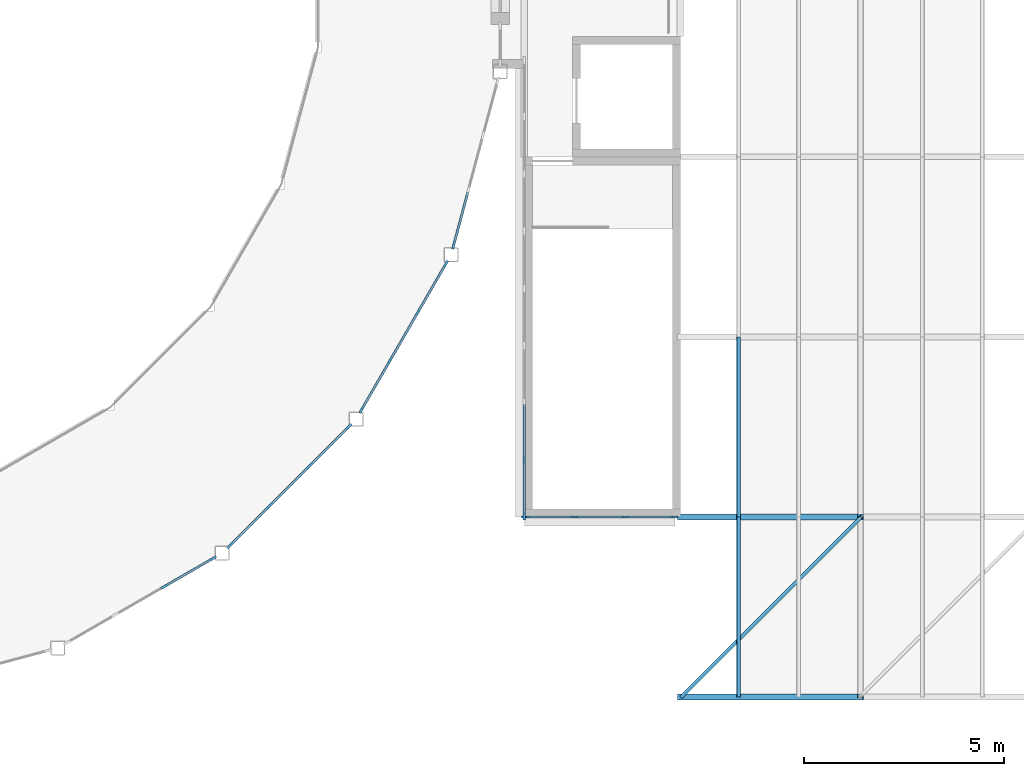
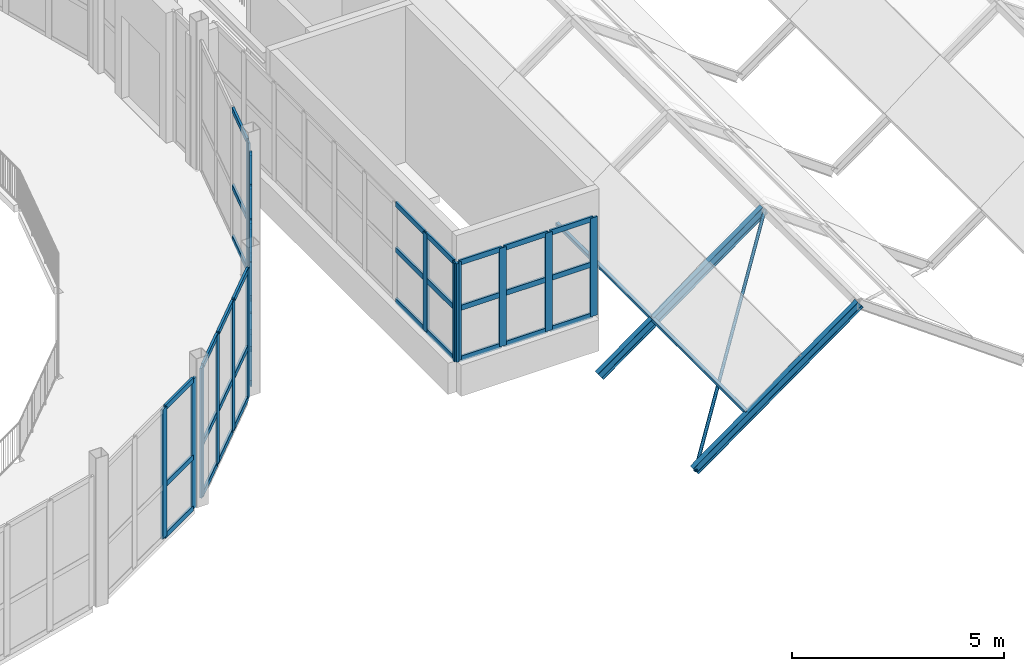
# One storey, part 20 of 74: 59 members, 2 beams, 6 elements without a shape of their own.
"""IFC4 building model written with IfcOpenShell, lengths in metres."""

from ifc_helpers import new_model, si_unit, direction, frame, origin, origin_2d, place, context, subcontext, project, spatial, rectangle, hollow_rectangle, hollow_circle, i_section, extrude, material, layer, layer_set, material_profile, profile_set, type_object, element, aggregate, save


model = new_model("IFC4")

# Units and contexts
model_context = context("Model", 3, precision=1e-05, world=origin(), true_north=direction((0.0, 1.0)))
body_context = subcontext(model_context, "Body", "Model", "MODEL_VIEW")
ifc_project = project(units=[si_unit("LENGTHUNIT", "METRE"), si_unit("AREAUNIT", "SQUARE_METRE"), si_unit("VOLUMEUNIT", "CUBIC_METRE"), si_unit("PLANEANGLEUNIT", "RADIAN"), si_unit("MASSUNIT", "GRAM", prefix="KILO")], contexts=[model_context])

# Site, building, storey
site_placement = place(None, origin())
site = spatial("IfcSite", under=ifc_project, at=site_placement, CompositionType="ELEMENT")
building_placement = place(site_placement, origin())
building = spatial("IfcBuilding", under=site, at=building_placement, Name="Hortulan Conservatory and Botanical Research Centre", CompositionType="ELEMENT")
storey_placement = place(building_placement, frame((0.0, 0.0, 6.0)))
storey = spatial("IfcBuildingStorey", under=building, at=storey_placement, Name="L01", CompositionType="ELEMENT", Elevation=6.0)

# Curtain wall, members
ifc_material_1 = material(Name="Bronze-finished aluminium", Category="aluminium")
ifc_layer = layer(ifc_material_1, 0.10009765625)
ifc_layer_set = layer_set([ifc_layer], Name="Bronze-framed Curtain Wall 1500 module")
curtain_wall_type = type_object("IfcCurtainWallType", Name="Bronze-framed Curtain Wall 1500 module", PredefinedType="NOTDEFINED", material=ifc_layer_set)
curtain_wall_1_placement = place(storey_placement, origin())
curtain_wall_1 = element("IfcCurtainWall", 1, at=curtain_wall_1_placement, inside=storey, type_object=curtain_wall_type, Name="Curtain wall", PredefinedType="NOTDEFINED")
ifc_material_profile_1 = material_profile(ifc_material_1, rectangle(XDim=0.06005859375, YDim=0.199951171875, at=origin_2d()), Name="Bronze Mullion 60x200")
ifc_profile_set_1 = profile_set([ifc_material_profile_1], Name="Bronze-finished aluminium")
member_type_1 = type_object("IfcMemberType", Name="Bronze Mullion 60x200", PredefinedType="MULLION", material=ifc_profile_set_1)
member_1_placement = place(storey_placement, frame((64.81884765625, 3.461669921875, 0.0), z_axis=(0.0, 0.0, 1.0), x_axis=(0.499981160235, -0.866036280655, 0.0)))
member_1 = element("IfcMember", 2, at=member_1_placement, type_object=member_type_1, Name="CW1 mullion 1", PredefinedType="MULLION", context=body_context, shape_type="SweptSolid", body=[
    extrude(rectangle(XDim=0.06005859375, YDim=0.199951171875, at=origin_2d()), origin(), (0.0, 0.0, 1.0), 3.75),
])
member_2_placement = place(storey_placement, frame((63.614990234375, 2.7666015625, 0.0), z_axis=(0.0, 0.0, 1.0), x_axis=(0.499981160235, -0.866036280655, 0.0)))
member_2 = element("IfcMember", 3, at=member_2_placement, type_object=member_type_1, Name="CW1 mullion 2", PredefinedType="MULLION", context=body_context, shape_type="SweptSolid", body=[
    extrude(rectangle(XDim=0.06005859375, YDim=0.199951171875, at=origin_2d()), origin(), (0.0, 0.0, 1.0), 3.75),
])

curtain_wall_2_placement = place(storey_placement, origin())
curtain_wall_2 = element("IfcCurtainWall", 4, at=curtain_wall_2_placement, inside=storey, type_object=curtain_wall_type, Name="Curtain wall", PredefinedType="NOTDEFINED")
member_3_placement = place(storey_placement, frame((68.207763671875, 6.751708984375, 0.0), z_axis=(0.0, 0.0, 1.0), x_axis=(0.707106781187, -0.707106781187, 0.0)))
member_3 = element("IfcMember", 5, at=member_3_placement, type_object=member_type_1, Name="CW1 mullion 1", PredefinedType="MULLION", context=body_context, shape_type="SweptSolid", body=[
    extrude(rectangle(XDim=0.06005859375, YDim=0.199951171875, at=origin_2d()), origin(), (0.0, 0.0, 1.0), 3.75),
])
member_4_placement = place(storey_placement, frame((67.228271484375, 5.7724609375, 0.0), z_axis=(0.0, 0.0, 1.0), x_axis=(0.707106781187, -0.707106781187, 0.0)))
member_4 = element("IfcMember", 6, at=member_4_placement, type_object=member_type_1, Name="CW1 mullion 2", PredefinedType="MULLION", context=body_context, shape_type="SweptSolid", body=[
    extrude(rectangle(XDim=0.06005859375, YDim=0.199951171875, at=origin_2d()), origin(), (0.0, 0.0, 1.0), 3.75),
])
member_5_placement = place(storey_placement, frame((66.2275390625, 4.771728515625, 0.0), z_axis=(0.0, 0.0, 1.0), x_axis=(0.707106781187, -0.707106781187, 0.0)))
member_5 = element("IfcMember", 7, at=member_5_placement, type_object=member_type_1, Name="CW1 mullion 3", PredefinedType="MULLION", context=body_context, shape_type="SweptSolid", body=[
    extrude(rectangle(XDim=0.06005859375, YDim=0.199951171875, at=origin_2d()), origin(), (0.0, 0.0, 1.0), 3.75),
])
member_6_placement = place(storey_placement, frame((65.248291015625, 3.792236328125, 0.0), z_axis=(0.0, 0.0, 1.0), x_axis=(0.707106781187, -0.707106781187, 0.0)))
member_6 = element("IfcMember", 8, at=member_6_placement, type_object=member_type_1, Name="CW1 mullion 4", PredefinedType="MULLION", context=body_context, shape_type="SweptSolid", body=[
    extrude(rectangle(XDim=0.06005859375, YDim=0.199951171875, at=origin_2d()), origin(), (0.0, 0.0, 1.0), 3.75),
])

curtain_wall_3_placement = place(storey_placement, origin())
curtain_wall_3 = element("IfcCurtainWall", 9, at=curtain_wall_3_placement, inside=storey, type_object=curtain_wall_type, Name="Curtain wall", PredefinedType="NOTDEFINED")
member_7_placement = place(storey_placement, frame((70.638671875, 10.81884765625, 0.0), z_axis=(0.0, 0.0, 1.0), x_axis=(0.866036280655, -0.499981160235, 0.0)))
member_7 = element("IfcMember", 10, at=member_7_placement, type_object=member_type_1, Name="CW1 mullion 1", PredefinedType="MULLION", context=body_context, shape_type="SweptSolid", body=[
    extrude(rectangle(XDim=0.06005859375, YDim=0.199951171875, at=origin_2d()), origin(), (0.0, 0.0, 1.0), 3.75),
])
member_8_placement = place(storey_placement, frame((69.943603515625, 9.614990234375, 0.0), z_axis=(0.0, 0.0, 1.0), x_axis=(0.866036280655, -0.499981160235, 0.0)))
member_8 = element("IfcMember", 11, at=member_8_placement, type_object=member_type_1, Name="CW1 mullion 2", PredefinedType="MULLION", context=body_context, shape_type="SweptSolid", body=[
    extrude(rectangle(XDim=0.06005859375, YDim=0.199951171875, at=origin_2d()), origin(), (0.0, 0.0, 1.0), 3.75),
])
member_9_placement = place(storey_placement, frame((69.2333984375, 8.385009765625, 0.0), z_axis=(0.0, 0.0, 1.0), x_axis=(0.866036280655, -0.499981160235, 0.0)))
member_9 = element("IfcMember", 12, at=member_9_placement, type_object=member_type_1, Name="CW1 mullion 3", PredefinedType="MULLION", context=body_context, shape_type="SweptSolid", body=[
    extrude(rectangle(XDim=0.06005859375, YDim=0.199951171875, at=origin_2d()), origin(), (0.0, 0.0, 1.0), 3.75),
])
member_10_placement = place(storey_placement, frame((68.538330078125, 7.18115234375, 0.0), z_axis=(0.0, 0.0, 1.0), x_axis=(0.866036280655, -0.499981160235, 0.0)))
member_10 = element("IfcMember", 13, at=member_10_placement, type_object=member_type_1, Name="CW1 mullion 4", PredefinedType="MULLION", context=body_context, shape_type="SweptSolid", body=[
    extrude(rectangle(XDim=0.06005859375, YDim=0.199951171875, at=origin_2d()), origin(), (0.0, 0.0, 1.0), 3.75),
])

# Curtain wall, member
curtain_wall_4_placement = place(storey_placement, origin())
curtain_wall_4 = element("IfcCurtainWall", 14, at=curtain_wall_4_placement, inside=storey, type_object=curtain_wall_type, Name="Curtain wall", PredefinedType="NOTDEFINED")
member_11_placement = place(storey_placement, frame((70.83642578125, 11.2880859375, 0.0), z_axis=(0.0, 0.0, 1.0), x_axis=(0.965922372015, -0.258831936284, 0.0)))
member_11 = element("IfcMember", 15, at=member_11_placement, type_object=member_type_1, Name="CW1 mullion 4", PredefinedType="MULLION", context=body_context, shape_type="SweptSolid", body=[
    extrude(rectangle(XDim=0.06005859375, YDim=0.199951171875, at=origin_2d()), origin(), (0.0, 0.0, 1.0), 3.75),
])

# Curtain wall, members
curtain_wall_5_placement = place(storey_placement, origin())
curtain_wall_5 = element("IfcCurtainWall", 16, at=curtain_wall_5_placement, inside=storey, type_object=curtain_wall_type, Name="Curtain wall", PredefinedType="NOTDEFINED")
member_12_placement = place(storey_placement, frame((76.343017578125, 4.5, 0.89990234375), z_axis=(0.0, 0.0, 1.0), x_axis=(0.0, -1.0, 0.0)))
member_12 = element("IfcMember", 17, at=member_12_placement, type_object=member_type_1, Name="CW1 mullion 1", PredefinedType="MULLION", context=body_context, shape_type="SweptSolid", body=[
    extrude(rectangle(XDim=0.06005859375, YDim=0.199951171875, at=origin_2d()), origin(), (0.0, 0.0, 1.0), 2.840087890625),
])
member_13_placement = place(storey_placement, frame((75.115234375, 4.5, 0.89990234375), z_axis=(0.0, 0.0, 1.0), x_axis=(0.0, -1.0, 0.0)))
member_13 = element("IfcMember", 18, at=member_13_placement, type_object=member_type_1, Name="CW1 mullion 2", PredefinedType="MULLION", context=body_context, shape_type="SweptSolid", body=[
    extrude(rectangle(XDim=0.06005859375, YDim=0.199951171875, at=origin_2d()), origin(), (0.0, 0.0, 1.0), 2.840087890625),
])
member_14_placement = place(storey_placement, frame((73.857666015625, 4.5, 0.89990234375), z_axis=(0.0, 0.0, 1.0), x_axis=(0.0, -1.0, 0.0)))
member_14 = element("IfcMember", 19, at=member_14_placement, type_object=member_type_1, Name="CW1 mullion 3", PredefinedType="MULLION", context=body_context, shape_type="SweptSolid", body=[
    extrude(rectangle(XDim=0.06005859375, YDim=0.199951171875, at=origin_2d()), origin(), (0.0, 0.0, 1.0), 2.840087890625),
])
member_15_placement = place(storey_placement, frame((72.6298828125, 4.5, 0.89990234375), z_axis=(0.0, 0.0, 1.0), x_axis=(0.0, -1.0, 0.0)))
member_15 = element("IfcMember", 20, at=member_15_placement, type_object=member_type_1, Name="CW1 mullion 4", PredefinedType="MULLION", context=body_context, shape_type="SweptSolid", body=[
    extrude(rectangle(XDim=0.06005859375, YDim=0.199951171875, at=origin_2d()), origin(), (0.0, 0.0, 1.0), 2.840087890625),
])

curtain_wall_6_placement = place(storey_placement, origin())
curtain_wall_6 = element("IfcCurtainWall", 21, at=curtain_wall_6_placement, inside=storey, type_object=curtain_wall_type, Name="Curtain wall", PredefinedType="NOTDEFINED")
member_16_placement = place(storey_placement, frame((72.60009765625, 4.530029296875, 0.89990234375), z_axis=(0.0, 0.0, 1.0), x_axis=(-1.0, 0.0, 0.0)))
member_16 = element("IfcMember", 22, at=member_16_placement, type_object=member_type_1, Name="CW1 mullion 1", PredefinedType="MULLION", context=body_context, shape_type="SweptSolid", body=[
    extrude(rectangle(XDim=0.06005859375, YDim=0.199951171875, at=origin_2d()), origin(), (0.0, 0.0, 1.0), 2.840087890625),
])
member_17_placement = place(storey_placement, frame((72.60009765625, 5.9287109375, 0.89990234375), z_axis=(0.0, 0.0, 1.0), x_axis=(-1.0, 0.0, 0.0)))
member_17 = element("IfcMember", 23, at=member_17_placement, type_object=member_type_1, Name="CW1 mullion 2", PredefinedType="MULLION", context=body_context, shape_type="SweptSolid", body=[
    extrude(rectangle(XDim=0.06005859375, YDim=0.199951171875, at=origin_2d()), origin(), (0.0, 0.0, 1.0), 2.840087890625),
])

# Member
ifc_material_profile_2 = material_profile(ifc_material_1, rectangle(XDim=0.06005859375, YDim=0.14990234375, at=origin_2d()), Name="Bronze Transom 60x150")
ifc_profile_set_2 = profile_set([ifc_material_profile_2], Name="Bronze-finished aluminium")
member_type_2 = type_object("IfcMemberType", Name="Bronze Transom 60x150", PredefinedType="USERDEFINED", material=ifc_profile_set_2)
member_18_placement = place(storey_placement, frame((64.79296875, 3.446533203125, 0.030029296875), z_axis=(-0.866066400931, -0.499928984136, 0.0), x_axis=(0.499928984136, -0.866066400931, 0.0)))
member_18 = element("IfcMember", 24, at=member_18_placement, type_object=member_type_2, Name="CW1 transom 1.1", ObjectType="TRANSOM", PredefinedType="USERDEFINED", context=body_context, shape_type="SweptSolid", body=[
    extrude(rectangle(XDim=0.06005859375, YDim=0.14990234375, at=origin_2d()), origin(), (0.0, 0.0, 1.0), 1.330322265625),
])

member_19_placement = place(storey_placement, frame((64.79296875, 3.446533203125, 1.5), z_axis=(-0.866066400931, -0.499928984136, 0.0), x_axis=(0.499928984136, -0.866066400931, 0.0)))
member_19 = element("IfcMember", 25, at=member_19_placement, type_object=member_type_2, Name="CW1 transom 1.2", ObjectType="TRANSOM", PredefinedType="USERDEFINED", context=body_context, shape_type="SweptSolid", body=[
    extrude(rectangle(XDim=0.06005859375, YDim=0.14990234375, at=origin_2d()), origin(), (0.0, 0.0, 1.0), 1.330322265625),
])

member_20_placement = place(storey_placement, frame((64.79296875, 3.446533203125, 3.719970703125), z_axis=(-0.866066400931, -0.499928984136, 0.0), x_axis=(0.499928984136, -0.866066400931, 0.0)))
member_20 = element("IfcMember", 26, at=member_20_placement, type_object=member_type_2, Name="CW1 transom 1.3", ObjectType="TRANSOM", PredefinedType="USERDEFINED", context=body_context, shape_type="SweptSolid", body=[
    extrude(rectangle(XDim=0.06005859375, YDim=0.14990234375, at=origin_2d()), origin(), (0.0, 0.0, 1.0), 1.330322265625),
])

aggregate(curtain_wall_1, [member_1, member_2, member_18, member_19, member_20])

member_21_placement = place(storey_placement, frame((68.1865234375, 6.73046875, 0.030029296875), z_axis=(-0.70719890636, -0.707014644009, 0.0), x_axis=(0.707014644009, -0.70719890636, 0.0)))
member_21 = element("IfcMember", 27, at=member_21_placement, type_object=member_type_2, Name="CW1 transom 1.1", ObjectType="TRANSOM", PredefinedType="USERDEFINED", context=body_context, shape_type="SweptSolid", body=[
    extrude(rectangle(XDim=0.06005859375, YDim=0.14990234375, at=origin_2d()), origin(), (0.0, 0.0, 1.0), 1.324951171875),
])

member_22_placement = place(storey_placement, frame((68.1865234375, 6.73046875, 1.5), z_axis=(-0.70719890636, -0.707014644009, 0.0), x_axis=(0.707014644009, -0.70719890636, 0.0)))
member_22 = element("IfcMember", 28, at=member_22_placement, type_object=member_type_2, Name="CW1 transom 1.2", ObjectType="TRANSOM", PredefinedType="USERDEFINED", context=body_context, shape_type="SweptSolid", body=[
    extrude(rectangle(XDim=0.06005859375, YDim=0.14990234375, at=origin_2d()), origin(), (0.0, 0.0, 1.0), 1.324951171875),
])

member_23_placement = place(storey_placement, frame((68.1865234375, 6.73046875, 3.719970703125), z_axis=(-0.70719890636, -0.707014644009, 0.0), x_axis=(0.707014644009, -0.70719890636, 0.0)))
member_23 = element("IfcMember", 29, at=member_23_placement, type_object=member_type_2, Name="CW1 transom 1.3", ObjectType="TRANSOM", PredefinedType="USERDEFINED", context=body_context, shape_type="SweptSolid", body=[
    extrude(rectangle(XDim=0.06005859375, YDim=0.14990234375, at=origin_2d()), origin(), (0.0, 0.0, 1.0), 1.324951171875),
])

member_24_placement = place(storey_placement, frame((67.20703125, 5.751220703125, 0.030029296875), z_axis=(-0.707106781187, -0.707106781187, 0.0), x_axis=(0.707106781187, -0.707106781187, 0.0)))
member_24 = element("IfcMember", 30, at=member_24_placement, type_object=member_type_2, Name="CW1 transom 2.1", ObjectType="TRANSOM", PredefinedType="USERDEFINED", context=body_context, shape_type="SweptSolid", body=[
    extrude(rectangle(XDim=0.06005859375, YDim=0.14990234375, at=origin_2d()), origin(), (0.0, 0.0, 1.0), 1.355224609375),
])

member_25_placement = place(storey_placement, frame((67.20703125, 5.751220703125, 1.5), z_axis=(-0.707106781187, -0.707106781187, 0.0), x_axis=(0.707106781187, -0.707106781187, 0.0)))
member_25 = element("IfcMember", 31, at=member_25_placement, type_object=member_type_2, Name="CW1 transom 2.2", ObjectType="TRANSOM", PredefinedType="USERDEFINED", context=body_context, shape_type="SweptSolid", body=[
    extrude(rectangle(XDim=0.06005859375, YDim=0.14990234375, at=origin_2d()), origin(), (0.0, 0.0, 1.0), 1.355224609375),
])

member_26_placement = place(storey_placement, frame((67.20703125, 5.751220703125, 3.719970703125), z_axis=(-0.707106781187, -0.707106781187, 0.0), x_axis=(0.707106781187, -0.707106781187, 0.0)))
member_26 = element("IfcMember", 32, at=member_26_placement, type_object=member_type_2, Name="CW1 transom 2.3", ObjectType="TRANSOM", PredefinedType="USERDEFINED", context=body_context, shape_type="SweptSolid", body=[
    extrude(rectangle(XDim=0.06005859375, YDim=0.14990234375, at=origin_2d()), origin(), (0.0, 0.0, 1.0), 1.355224609375),
])

member_27_placement = place(storey_placement, frame((66.206298828125, 4.75048828125, 0.030029296875), z_axis=(-0.707014644009, -0.70719890636, 0.0), x_axis=(0.70719890636, -0.707014644009, 0.0)))
member_27 = element("IfcMember", 33, at=member_27_placement, type_object=member_type_2, Name="CW1 transom 3.1", ObjectType="TRANSOM", PredefinedType="USERDEFINED", context=body_context, shape_type="SweptSolid", body=[
    extrude(rectangle(XDim=0.06005859375, YDim=0.14990234375, at=origin_2d()), origin(), (0.0, 0.0, 1.0), 1.324951171875),
])

member_28_placement = place(storey_placement, frame((66.206298828125, 4.75048828125, 1.5), z_axis=(-0.707014644009, -0.70719890636, 0.0), x_axis=(0.70719890636, -0.707014644009, 0.0)))
member_28 = element("IfcMember", 34, at=member_28_placement, type_object=member_type_2, Name="CW1 transom 3.2", ObjectType="TRANSOM", PredefinedType="USERDEFINED", context=body_context, shape_type="SweptSolid", body=[
    extrude(rectangle(XDim=0.06005859375, YDim=0.14990234375, at=origin_2d()), origin(), (0.0, 0.0, 1.0), 1.324951171875),
])

member_29_placement = place(storey_placement, frame((66.206298828125, 4.75048828125, 3.719970703125), z_axis=(-0.707014644009, -0.70719890636, 0.0), x_axis=(0.70719890636, -0.707014644009, 0.0)))
member_29 = element("IfcMember", 35, at=member_29_placement, type_object=member_type_2, Name="CW1 transom 3.3", ObjectType="TRANSOM", PredefinedType="USERDEFINED", context=body_context, shape_type="SweptSolid", body=[
    extrude(rectangle(XDim=0.06005859375, YDim=0.14990234375, at=origin_2d()), origin(), (0.0, 0.0, 1.0), 1.324951171875),
])

aggregate(curtain_wall_2, [member_3, member_4, member_5, member_6, member_21, member_22, member_23, member_24, member_25, member_26, member_27, member_28, member_29])

member_30_placement = place(storey_placement, frame((70.62353515625, 10.79296875, 0.030029296875), z_axis=(-0.499928984136, -0.866066400931, 0.0), x_axis=(0.866066400931, -0.499928984136, 0.0)))
member_30 = element("IfcMember", 36, at=member_30_placement, type_object=member_type_2, Name="CW1 transom 1.1", ObjectType="TRANSOM", PredefinedType="USERDEFINED", context=body_context, shape_type="SweptSolid", body=[
    extrude(rectangle(XDim=0.06005859375, YDim=0.14990234375, at=origin_2d()), origin(), (0.0, 0.0, 1.0), 1.330322265625),
])

member_31_placement = place(storey_placement, frame((70.62353515625, 10.79296875, 1.5), z_axis=(-0.499928984136, -0.866066400931, 0.0), x_axis=(0.866066400931, -0.499928984136, 0.0)))
member_31 = element("IfcMember", 37, at=member_31_placement, type_object=member_type_2, Name="CW1 transom 1.2", ObjectType="TRANSOM", PredefinedType="USERDEFINED", context=body_context, shape_type="SweptSolid", body=[
    extrude(rectangle(XDim=0.06005859375, YDim=0.14990234375, at=origin_2d()), origin(), (0.0, 0.0, 1.0), 1.330322265625),
])

member_32_placement = place(storey_placement, frame((70.62353515625, 10.79296875, 3.719970703125), z_axis=(-0.499928984136, -0.866066400931, 0.0), x_axis=(0.866066400931, -0.499928984136, 0.0)))
member_32 = element("IfcMember", 38, at=member_32_placement, type_object=member_type_2, Name="CW1 transom 1.3", ObjectType="TRANSOM", PredefinedType="USERDEFINED", context=body_context, shape_type="SweptSolid", body=[
    extrude(rectangle(XDim=0.06005859375, YDim=0.14990234375, at=origin_2d()), origin(), (0.0, 0.0, 1.0), 1.330322265625),
])

member_33_placement = place(storey_placement, frame((69.928466796875, 9.5888671875, 0.030029296875), z_axis=(-0.499981459473, -0.866036107898, 0.0), x_axis=(0.866036107898, -0.499981459473, 0.0)))
member_33 = element("IfcMember", 39, at=member_33_placement, type_object=member_type_2, Name="CW1 transom 2.1", ObjectType="TRANSOM", PredefinedType="USERDEFINED", context=body_context, shape_type="SweptSolid", body=[
    extrude(rectangle(XDim=0.06005859375, YDim=0.14990234375, at=origin_2d()), origin(), (0.0, 0.0, 1.0), 1.35986328125),
])

member_34_placement = place(storey_placement, frame((69.928466796875, 9.5888671875, 1.5), z_axis=(-0.499981459473, -0.866036107898, 0.0), x_axis=(0.866036107898, -0.499981459473, 0.0)))
member_34 = element("IfcMember", 40, at=member_34_placement, type_object=member_type_2, Name="CW1 transom 2.2", ObjectType="TRANSOM", PredefinedType="USERDEFINED", context=body_context, shape_type="SweptSolid", body=[
    extrude(rectangle(XDim=0.06005859375, YDim=0.14990234375, at=origin_2d()), origin(), (0.0, 0.0, 1.0), 1.35986328125),
])

member_35_placement = place(storey_placement, frame((69.928466796875, 9.5888671875, 3.719970703125), z_axis=(-0.499981459473, -0.866036107898, 0.0), x_axis=(0.866036107898, -0.499981459473, 0.0)))
member_35 = element("IfcMember", 41, at=member_35_placement, type_object=member_type_2, Name="CW1 transom 2.3", ObjectType="TRANSOM", PredefinedType="USERDEFINED", context=body_context, shape_type="SweptSolid", body=[
    extrude(rectangle(XDim=0.06005859375, YDim=0.14990234375, at=origin_2d()), origin(), (0.0, 0.0, 1.0), 1.35986328125),
])

member_36_placement = place(storey_placement, frame((69.218505859375, 8.359130859375, 0.030029296875), z_axis=(-0.499928984136, -0.866066400931, 0.0), x_axis=(0.866066400931, -0.499928984136, 0.0)))
member_36 = element("IfcMember", 42, at=member_36_placement, type_object=member_type_2, Name="CW1 transom 3.1", ObjectType="TRANSOM", PredefinedType="USERDEFINED", context=body_context, shape_type="SweptSolid", body=[
    extrude(rectangle(XDim=0.06005859375, YDim=0.14990234375, at=origin_2d()), origin(), (0.0, 0.0, 1.0), 1.330322265625),
])

member_37_placement = place(storey_placement, frame((69.218505859375, 8.359130859375, 1.5), z_axis=(-0.499928984136, -0.866066400931, 0.0), x_axis=(0.866066400931, -0.499928984136, 0.0)))
member_37 = element("IfcMember", 43, at=member_37_placement, type_object=member_type_2, Name="CW1 transom 3.2", ObjectType="TRANSOM", PredefinedType="USERDEFINED", context=body_context, shape_type="SweptSolid", body=[
    extrude(rectangle(XDim=0.06005859375, YDim=0.14990234375, at=origin_2d()), origin(), (0.0, 0.0, 1.0), 1.330322265625),
])

member_38_placement = place(storey_placement, frame((69.218505859375, 8.359130859375, 3.719970703125), z_axis=(-0.499928984136, -0.866066400931, 0.0), x_axis=(0.866066400931, -0.499928984136, 0.0)))
member_38 = element("IfcMember", 44, at=member_38_placement, type_object=member_type_2, Name="CW1 transom 3.3", ObjectType="TRANSOM", PredefinedType="USERDEFINED", context=body_context, shape_type="SweptSolid", body=[
    extrude(rectangle(XDim=0.06005859375, YDim=0.14990234375, at=origin_2d()), origin(), (0.0, 0.0, 1.0), 1.330322265625),
])

aggregate(curtain_wall_3, [member_7, member_8, member_9, member_10, member_30, member_31, member_32, member_33, member_34, member_35, member_36, member_37, member_38])

member_39_placement = place(storey_placement, frame((71.19287109375, 12.617919921875, 0.030029296875), z_axis=(-0.258835745824, -0.965921351189, 0.0), x_axis=(0.965921351189, -0.258835745824, 0.0)))
member_39 = element("IfcMember", 45, at=member_39_placement, type_object=member_type_2, Name="CW1 transom 3.1", ObjectType="TRANSOM", PredefinedType="USERDEFINED", context=body_context, shape_type="SweptSolid", body=[
    extrude(rectangle(XDim=0.06005859375, YDim=0.14990234375, at=origin_2d()), origin(), (0.0, 0.0, 1.0), 1.346923828125),
])

member_40_placement = place(storey_placement, frame((71.19287109375, 12.617919921875, 1.5), z_axis=(-0.258835745824, -0.965921351189, 0.0), x_axis=(0.965921351189, -0.258835745824, 0.0)))
member_40 = element("IfcMember", 46, at=member_40_placement, type_object=member_type_2, Name="CW1 transom 3.2", ObjectType="TRANSOM", PredefinedType="USERDEFINED", context=body_context, shape_type="SweptSolid", body=[
    extrude(rectangle(XDim=0.06005859375, YDim=0.14990234375, at=origin_2d()), origin(), (0.0, 0.0, 1.0), 1.346923828125),
])

member_41_placement = place(storey_placement, frame((71.19287109375, 12.617919921875, 3.719970703125), z_axis=(-0.258835745824, -0.965921351189, 0.0), x_axis=(0.965921351189, -0.258835745824, 0.0)))
member_41 = element("IfcMember", 47, at=member_41_placement, type_object=member_type_2, Name="CW1 transom 3.3", ObjectType="TRANSOM", PredefinedType="USERDEFINED", context=body_context, shape_type="SweptSolid", body=[
    extrude(rectangle(XDim=0.06005859375, YDim=0.14990234375, at=origin_2d()), origin(), (0.0, 0.0, 1.0), 1.346923828125),
])

aggregate(curtain_wall_4, [member_11, member_39, member_40, member_41])

member_42_placement = place(storey_placement, frame((76.31298828125, 4.5, 0.929931640625), z_axis=(-1.0, 0.0, 0.0), x_axis=(0.0, -1.0, 0.0)))
member_42 = element("IfcMember", 48, at=member_42_placement, type_object=member_type_2, Name="CW1 transom 1.1", ObjectType="TRANSOM", PredefinedType="USERDEFINED", context=body_context, shape_type="SweptSolid", body=[
    extrude(rectangle(XDim=0.06005859375, YDim=0.14990234375, at=origin_2d()), origin(), (0.0, 0.0, 1.0), 1.167724609375),
])

member_43_placement = place(storey_placement, frame((76.31298828125, 4.5, 2.39990234375), z_axis=(-1.0, 0.0, 0.0), x_axis=(0.0, -1.0, 0.0)))
member_43 = element("IfcMember", 49, at=member_43_placement, type_object=member_type_2, Name="CW1 transom 1.2", ObjectType="TRANSOM", PredefinedType="USERDEFINED", context=body_context, shape_type="SweptSolid", body=[
    extrude(rectangle(XDim=0.06005859375, YDim=0.14990234375, at=origin_2d()), origin(), (0.0, 0.0, 1.0), 1.167724609375),
])

member_44_placement = place(storey_placement, frame((76.31298828125, 4.5, 3.7099609375), z_axis=(-1.0, 0.0, 0.0), x_axis=(0.0, -1.0, 0.0)))
member_44 = element("IfcMember", 50, at=member_44_placement, type_object=member_type_2, Name="CW1 transom 1.3", ObjectType="TRANSOM", PredefinedType="USERDEFINED", context=body_context, shape_type="SweptSolid", body=[
    extrude(rectangle(XDim=0.06005859375, YDim=0.14990234375, at=origin_2d()), origin(), (0.0, 0.0, 1.0), 1.167724609375),
])

member_45_placement = place(storey_placement, frame((75.08544921875, 4.5, 0.929931640625), z_axis=(-1.0, 0.0, 0.0), x_axis=(0.0, -1.0, 0.0)))
member_45 = element("IfcMember", 51, at=member_45_placement, type_object=member_type_2, Name="CW1 transom 2.1", ObjectType="TRANSOM", PredefinedType="USERDEFINED", context=body_context, shape_type="SweptSolid", body=[
    extrude(rectangle(XDim=0.06005859375, YDim=0.14990234375, at=origin_2d()), origin(), (0.0, 0.0, 1.0), 1.19775390625),
])

member_46_placement = place(storey_placement, frame((75.08544921875, 4.5, 2.39990234375), z_axis=(-1.0, 0.0, 0.0), x_axis=(0.0, -1.0, 0.0)))
member_46 = element("IfcMember", 52, at=member_46_placement, type_object=member_type_2, Name="CW1 transom 2.2", ObjectType="TRANSOM", PredefinedType="USERDEFINED", context=body_context, shape_type="SweptSolid", body=[
    extrude(rectangle(XDim=0.06005859375, YDim=0.14990234375, at=origin_2d()), origin(), (0.0, 0.0, 1.0), 1.19775390625),
])

member_47_placement = place(storey_placement, frame((75.08544921875, 4.5, 3.7099609375), z_axis=(-1.0, 0.0, 0.0), x_axis=(0.0, -1.0, 0.0)))
member_47 = element("IfcMember", 53, at=member_47_placement, type_object=member_type_2, Name="CW1 transom 2.3", ObjectType="TRANSOM", PredefinedType="USERDEFINED", context=body_context, shape_type="SweptSolid", body=[
    extrude(rectangle(XDim=0.06005859375, YDim=0.14990234375, at=origin_2d()), origin(), (0.0, 0.0, 1.0), 1.19775390625),
])

member_48_placement = place(storey_placement, frame((73.82763671875, 4.5, 0.929931640625), z_axis=(-1.0, 0.0, 0.0), x_axis=(0.0, -1.0, 0.0)))
member_48 = element("IfcMember", 54, at=member_48_placement, type_object=member_type_2, Name="CW1 transom 3.1", ObjectType="TRANSOM", PredefinedType="USERDEFINED", context=body_context, shape_type="SweptSolid", body=[
    extrude(rectangle(XDim=0.06005859375, YDim=0.14990234375, at=origin_2d()), origin(), (0.0, 0.0, 1.0), 1.167724609375),
])

member_49_placement = place(storey_placement, frame((73.82763671875, 4.5, 2.39990234375), z_axis=(-1.0, 0.0, 0.0), x_axis=(0.0, -1.0, 0.0)))
member_49 = element("IfcMember", 55, at=member_49_placement, type_object=member_type_2, Name="CW1 transom 3.2", ObjectType="TRANSOM", PredefinedType="USERDEFINED", context=body_context, shape_type="SweptSolid", body=[
    extrude(rectangle(XDim=0.06005859375, YDim=0.14990234375, at=origin_2d()), origin(), (0.0, 0.0, 1.0), 1.167724609375),
])

member_50_placement = place(storey_placement, frame((73.82763671875, 4.5, 3.7099609375), z_axis=(-1.0, 0.0, 0.0), x_axis=(0.0, -1.0, 0.0)))
member_50 = element("IfcMember", 56, at=member_50_placement, type_object=member_type_2, Name="CW1 transom 3.3", ObjectType="TRANSOM", PredefinedType="USERDEFINED", context=body_context, shape_type="SweptSolid", body=[
    extrude(rectangle(XDim=0.06005859375, YDim=0.14990234375, at=origin_2d()), origin(), (0.0, 0.0, 1.0), 1.167724609375),
])

aggregate(curtain_wall_5, [member_12, member_13, member_14, member_15, member_42, member_43, member_44, member_45, member_46, member_47, member_48, member_49, member_50])

member_51_placement = place(storey_placement, frame((72.60009765625, 4.56005859375, 0.929931640625), z_axis=(0.0, 1.0, 0.0), x_axis=(-1.0, 0.0, 0.0)))
member_51 = element("IfcMember", 57, at=member_51_placement, type_object=member_type_2, Name="CW1 transom 1.1", ObjectType="TRANSOM", PredefinedType="USERDEFINED", context=body_context, shape_type="SweptSolid", body=[
    extrude(rectangle(XDim=0.06005859375, YDim=0.14990234375, at=origin_2d()), origin(), (0.0, 0.0, 1.0), 1.338623046875),
])

member_52_placement = place(storey_placement, frame((72.60009765625, 4.56005859375, 2.39990234375), z_axis=(0.0, 1.0, 0.0), x_axis=(-1.0, 0.0, 0.0)))
member_52 = element("IfcMember", 58, at=member_52_placement, type_object=member_type_2, Name="CW1 transom 1.2", ObjectType="TRANSOM", PredefinedType="USERDEFINED", context=body_context, shape_type="SweptSolid", body=[
    extrude(rectangle(XDim=0.06005859375, YDim=0.14990234375, at=origin_2d()), origin(), (0.0, 0.0, 1.0), 1.338623046875),
])

member_53_placement = place(storey_placement, frame((72.60009765625, 4.56005859375, 3.7099609375), z_axis=(0.0, 1.0, 0.0), x_axis=(-1.0, 0.0, 0.0)))
member_53 = element("IfcMember", 59, at=member_53_placement, type_object=member_type_2, Name="CW1 transom 1.3", ObjectType="TRANSOM", PredefinedType="USERDEFINED", context=body_context, shape_type="SweptSolid", body=[
    extrude(rectangle(XDim=0.06005859375, YDim=0.14990234375, at=origin_2d()), origin(), (0.0, 0.0, 1.0), 1.338623046875),
])

member_54_placement = place(storey_placement, frame((72.60009765625, 5.958740234375, 0.929931640625), z_axis=(0.0, 1.0, 0.0), x_axis=(-1.0, 0.0, 0.0)))
member_54 = element("IfcMember", 60, at=member_54_placement, type_object=member_type_2, Name="CW1 transom 2.1", ObjectType="TRANSOM", PredefinedType="USERDEFINED", context=body_context, shape_type="SweptSolid", body=[
    extrude(rectangle(XDim=0.06005859375, YDim=0.14990234375, at=origin_2d()), origin(), (0.0, 0.0, 1.0), 1.368896484375),
])

member_55_placement = place(storey_placement, frame((72.60009765625, 5.958740234375, 2.39990234375), z_axis=(0.0, 1.0, 0.0), x_axis=(-1.0, 0.0, 0.0)))
member_55 = element("IfcMember", 61, at=member_55_placement, type_object=member_type_2, Name="CW1 transom 2.2", ObjectType="TRANSOM", PredefinedType="USERDEFINED", context=body_context, shape_type="SweptSolid", body=[
    extrude(rectangle(XDim=0.06005859375, YDim=0.14990234375, at=origin_2d()), origin(), (0.0, 0.0, 1.0), 1.368896484375),
])

member_56_placement = place(storey_placement, frame((72.60009765625, 5.958740234375, 3.7099609375), z_axis=(0.0, 1.0, 0.0), x_axis=(-1.0, 0.0, 0.0)))
member_56 = element("IfcMember", 62, at=member_56_placement, type_object=member_type_2, Name="CW1 transom 2.3", ObjectType="TRANSOM", PredefinedType="USERDEFINED", context=body_context, shape_type="SweptSolid", body=[
    extrude(rectangle(XDim=0.06005859375, YDim=0.14990234375, at=origin_2d()), origin(), (0.0, 0.0, 1.0), 1.368896484375),
])

aggregate(curtain_wall_6, [member_16, member_17, member_51, member_52, member_53, member_54, member_55, member_56])

# Members
ifc_material_2 = material(Name="Steel Grade C350L0 (350 MPa, AS/NZS 1163)", Category="steel")
ifc_material_profile_3 = material_profile(ifc_material_2, hollow_circle(Radius=0.04443359375, WallThickness=0.005859375, at=origin_2d()), Name="88.9x5.9CHS")
ifc_profile_set_3 = profile_set([ifc_material_profile_3], Name="Steel Grade C350L0 (350 MPa, AS/NZS 1163)")
member_type_3 = type_object("IfcMemberType", Name="Climate House Bracing 88.9x5.9 CHS", PredefinedType="BRACE", material=ifc_profile_set_3)
member_57_placement = place(storey_placement, frame((76.5234375, 0.0, -0.928955078125), z_axis=(0.630092382257, 0.630092382257, 0.453836071335), x_axis=(-0.707106781187, 0.707106781187, 0.0)))
element("IfcMember", 63, at=member_57_placement, inside=storey, type_object=member_type_3, Name="Temperate Glasshouse roof bracing W end bay 1", PredefinedType="BRACE", context=body_context, shape_type="SweptSolid", body=[
    extrude(hollow_circle(Radius=0.04443359375, WallThickness=0.005859375, at=origin_2d()), origin(), (0.0, 0.0, 1.0), 7.141845703125),
])
ifc_material_3 = material(Name="Steel Grade C450L0 (450 MPa, AS/NZS 1163)", Category="steel")
ifc_material_profile_4 = material_profile(ifc_material_3, hollow_rectangle(XDim=0.10009765625, YDim=0.10009765625, WallThickness=0.006103515625, InnerFilletRadius=0.009033203125, OuterFilletRadius=0.014892578125, at=origin_2d()), Name="100x100x6SHS")
ifc_profile_set_4 = profile_set([ifc_material_profile_4], Name="Steel Grade C450L0 (450 MPa, AS/NZS 1163)")
member_type_4 = type_object("IfcMemberType", Name="Climate House Purlin 100x100x6 SHS", PredefinedType="PURLIN", material=ifc_profile_set_4)
for number, where, z_axis, x_axis, name in (
    (64, (77.95556640625, 0.0, 0.24560546875), (0.0, 1.0, 0.0), (-1.0, 0.0, 0.0), "Temperate Glasshouse purlin W1 bay 1"),
    (65, (77.95556640625, 4.5, 0.24560546875), (0.0, 1.0, 0.0), (-1.0, 0.0, 0.0), "Temperate Glasshouse purlin W1 bay 2"),
):
    element("IfcMember", number, at=place(storey_placement, frame(where, z_axis=z_axis, x_axis=x_axis)), inside=storey, type_object=member_type_4, Name=name, PredefinedType="PURLIN", context=body_context, shape_type="SweptSolid", body=[
        extrude(hollow_rectangle(XDim=0.10009765625, YDim=0.10009765625, WallThickness=0.006103515625, InnerFilletRadius=0.009033203125, OuterFilletRadius=0.014892578125, at=origin_2d()), origin(), (0.0, 0.0, 1.0), 4.5),
    ])

# Beams
ifc_material_4 = material(Name="Steel Grade 300PLUS (AS/NZS 3679.1, 280 MPa minimum yield)", Category="steel")
ifc_material_profile_5 = material_profile(ifc_material_4, i_section(OverallWidth=0.14599609375, OverallDepth=0.251953125, WebThickness=0.006103515625, FlangeThickness=0.008544921875, FilletRadius=0.0087890625, at=origin_2d()), Name="250UB31.4")
ifc_profile_set_5 = profile_set([ifc_material_profile_5], Name="Steel Grade 300PLUS (AS/NZS 3679.1, 280 MPa minimum yield)")
beam_type = type_object("IfcBeamType", Name="Climate House Rafter 250UB31.4", PredefinedType="BEAM", material=ifc_profile_set_5)
for number, where, z_axis, x_axis, name in (
    (66, (76.5, 0.0, -0.896484375), (0.811430788987, 0.0, 0.584448521842), (0.0, 1.0, 0.0), "Temperate Glasshouse rafter west frame 1"),
    (67, (76.5, 4.5, -0.896484375), (0.811430788987, 0.0, 0.584448521842), (0.0, 1.0, 0.0), "Temperate Glasshouse rafter west frame 2"),
):
    element("IfcBeam", number, at=place(storey_placement, frame(where, z_axis=z_axis, x_axis=x_axis)), inside=storey, type_object=beam_type, Name=name, PredefinedType="BEAM", context=body_context, shape_type="SweptSolid", body=[
        extrude(i_section(OverallWidth=0.14599609375, OverallDepth=0.251953125, WebThickness=0.006103515625, FlangeThickness=0.008544921875, FilletRadius=0.0087890625, at=origin_2d()), origin(), (0.0, 0.0, 1.0), 5.545654296875),
    ])

save(model, "model.ifc")
